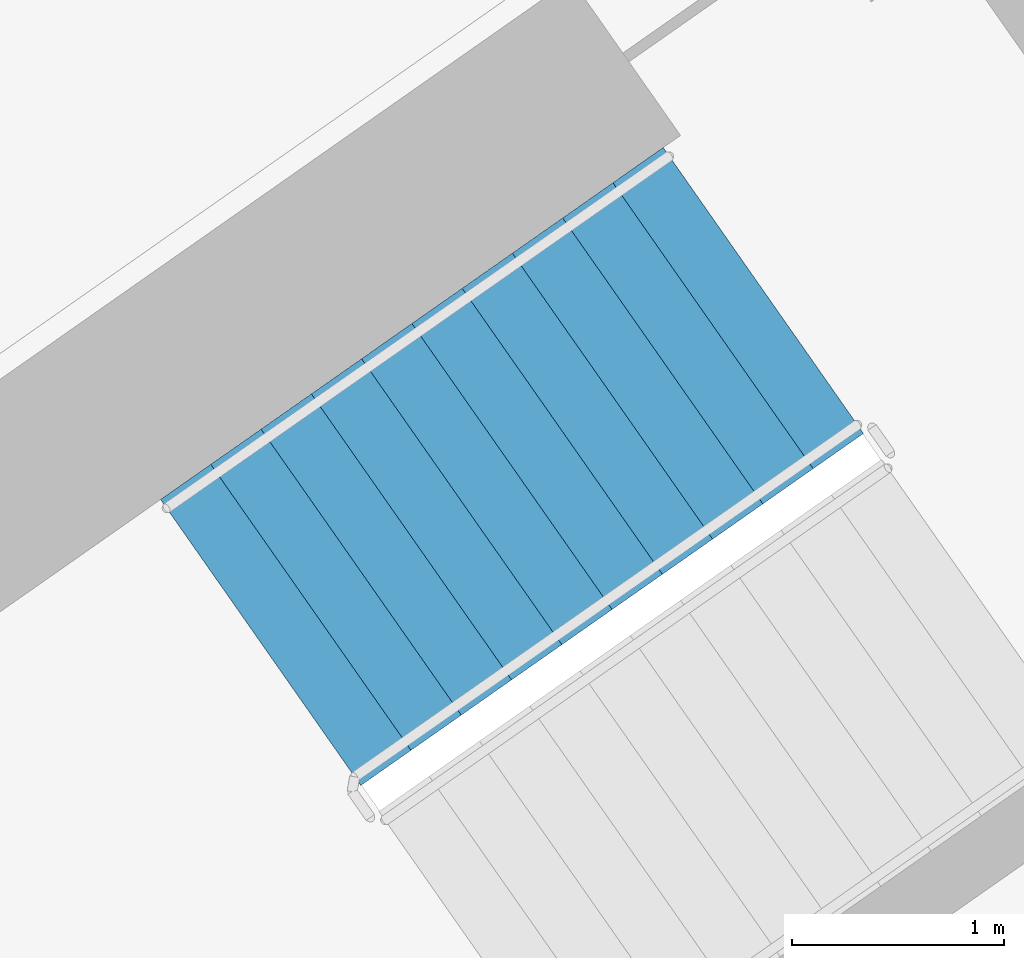
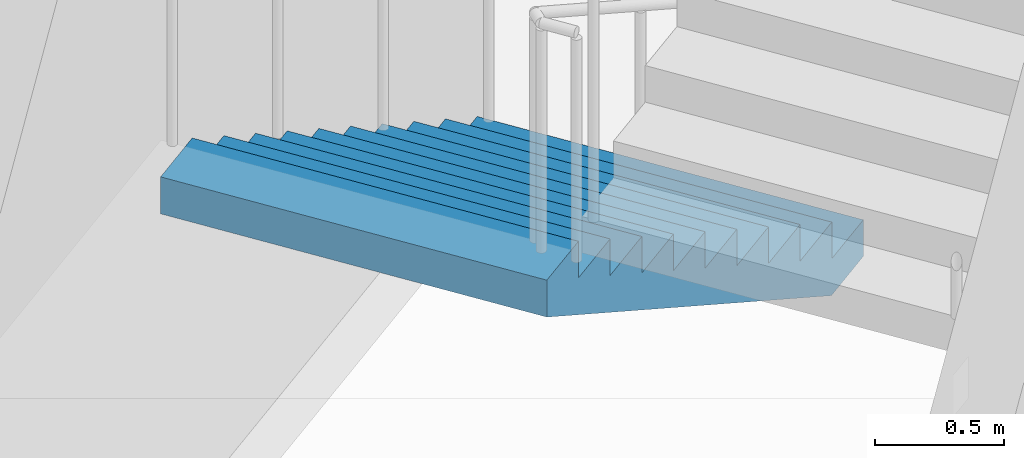
# One storey, part 18 of 33: 1 stair flight, 1 element without a shape of its own.
"""IFC4 building model written with IfcOpenShell, lengths in metres."""

from ifc_helpers import new_model, si_unit, direction, frame, origin, place, context, subcontext, project, spatial, faceted_brep, material, type_object, element, aggregate, save


model = new_model("IFC4")

# Units and contexts
model_context = context("Model", 3, precision=1e-05, world=origin(), true_north=direction((0.0, 1.0)))
body_context = subcontext(model_context, "Body", "Model", "MODEL_VIEW")
ifc_project = project(units=[si_unit("LENGTHUNIT", "METRE"), si_unit("AREAUNIT", "SQUARE_METRE"), si_unit("VOLUMEUNIT", "CUBIC_METRE"), si_unit("PLANEANGLEUNIT", "RADIAN"), si_unit("MASSUNIT", "GRAM", prefix="KILO")], contexts=[model_context])

# Site, building, storey
site_placement = place(None, origin())
site = spatial("IfcSite", under=ifc_project, at=site_placement, CompositionType="ELEMENT")
building_placement = place(site_placement, origin())
building = spatial("IfcBuilding", under=site, at=building_placement, Name="Qamariyya Broadcast Tower", CompositionType="ELEMENT")
storey_placement = place(building_placement, frame((0.0, 0.0, 78.5)))
storey = spatial("IfcBuildingStorey", under=building, at=storey_placement, Name="L16", CompositionType="ELEMENT", Elevation=78.5)

# Stair, stair flight
ifc_material = material(Name="Concrete C50/60", Category="concrete")
stair_type = type_object("IfcStairType", Name="Exit stair 22 risers of 173 mm", PredefinedType="HALF_TURN_STAIR", material=ifc_material)
stair_placement = place(storey_placement, origin())
stair = element("IfcStair", 1, at=stair_placement, inside=storey, type_object=stair_type, Name="L16 Stair E2", PredefinedType="HALF_TURN_STAIR")
stair_flight_type = type_object("IfcStairFlightType", Name="Exit stair flight 11 risers of 173 mm", PredefinedType="STRAIGHT", material=ifc_material)
stair_flight_placement = place(storey_placement, frame((40.558837890625, -47.685302734375, 0.0), z_axis=(0.0, 0.0, 1.0), x_axis=(-0.819152044289, -0.573576436351, 0.0)))
stair_flight = element("IfcStairFlight", 2, at=stair_flight_placement, type_object=stair_flight_type, Name="ST-E2 flight 1", NumberOfRisers=11, NumberOfTreads=10, PredefinedType="STRAIGHT", RiserHeight=0.172727273, TreadLength=0.29, context=body_context, shape_type="Brep", body=[
    faceted_brep([(0.0, 0.824951171875, 0.0), (0.0, 0.824951171875, 0.172607421875), (0.2900390625, 0.824951171875, 0.172607421875), (0.2900390625, 0.824951171875, 0.345458984375), (0.580078125, 0.824951171875, 0.345458984375), (0.580078125, 0.824951171875, 0.51806640625), (0.8701171875, 0.824951171875, 0.51806640625), (0.8701171875, 0.824951171875, 0.69091796875), (1.159912109375, 0.824951171875, 0.69091796875), (1.159912109375, 0.824951171875, 0.863525390625), (1.449951171875, 0.824951171875, 0.863525390625), (1.449951171875, 0.824951171875, 1.036376953125), (1.739990234375, 0.824951171875, 1.036376953125), (1.739990234375, 0.824951171875, 1.208984375), (2.030029296875, 0.824951171875, 1.208984375), (2.030029296875, 0.824951171875, 1.3818359375), (2.320068359375, 0.824951171875, 1.3818359375), (2.320068359375, 0.824951171875, 1.554443359375), (2.610107421875, 0.824951171875, 1.554443359375), (2.610107421875, 0.824951171875, 1.727294921875), (2.89990234375, 0.824951171875, 1.727294921875), (2.89990234375, 0.824951171875, 1.552734375), (0.29296875, 0.824951171875, 0.0), (0.29296875, -0.824951171875, 0.0), (2.89990234375, -0.824951171875, 1.552734375), (2.89990234375, -0.824951171875, 1.727294921875), (2.610107421875, -0.824951171875, 1.727294921875), (2.610107421875, -0.824951171875, 1.554443359375), (2.320068359375, -0.824951171875, 1.554443359375), (2.320068359375, -0.824951171875, 1.3818359375), (2.030029296875, -0.824951171875, 1.3818359375), (2.030029296875, -0.824951171875, 1.208984375), (1.739990234375, -0.824951171875, 1.208984375), (1.739990234375, -0.824951171875, 1.036376953125), (1.449951171875, -0.824951171875, 1.036376953125), (1.449951171875, -0.824951171875, 0.863525390625), (1.159912109375, -0.824951171875, 0.863525390625), (1.159912109375, -0.824951171875, 0.69091796875), (0.8701171875, -0.824951171875, 0.69091796875), (0.8701171875, -0.824951171875, 0.51806640625), (0.580078125, -0.824951171875, 0.51806640625), (0.580078125, -0.824951171875, 0.345458984375), (0.2900390625, -0.824951171875, 0.345458984375), (0.2900390625, -0.824951171875, 0.172607421875), (0.0, -0.824951171875, 0.172607421875), (0.0, -0.824951171875, 0.0), (0.0, 0.10009765625, 0.0), (0.0, 0.086669921875, 0.0), (0.0, 0.0732421875, 0.0), (0.0, 0.06005859375, 0.0), (0.0, 0.046630859375, 0.0), (0.0, 0.033447265625, 0.0), (0.0, 0.02001953125, 0.0), (0.0, 0.006591796875, 0.0), (0.0, -0.006591796875, 0.0), (0.0, -0.02001953125, 0.0), (0.0, -0.033447265625, 0.0), (0.0, -0.046630859375, 0.0), (0.0, -0.06005859375, 0.0), (0.0, -0.0732421875, 0.0), (0.0, -0.086669921875, 0.0), (0.0, -0.10009765625, 0.0), (0.0, -0.10009765625, 0.172607421875), (0.0, -0.086669921875, 0.172607421875), (0.0, -0.0732421875, 0.172607421875), (0.0, -0.06005859375, 0.172607421875), (0.0, -0.046630859375, 0.172607421875), (0.0, -0.033447265625, 0.172607421875), (0.0, -0.02001953125, 0.172607421875), (0.0, -0.006591796875, 0.172607421875), (0.0, 0.006591796875, 0.172607421875), (0.0, 0.02001953125, 0.172607421875), (0.0, 0.033447265625, 0.172607421875), (0.0, 0.046630859375, 0.172607421875), (0.0, 0.06005859375, 0.172607421875), (0.0, 0.0732421875, 0.172607421875), (0.0, 0.086669921875, 0.172607421875), (0.0, 0.10009765625, 0.172607421875), (0.2900390625, -0.10009765625, 0.172607421875), (0.2900390625, -0.086669921875, 0.172607421875), (0.2900390625, -0.0732421875, 0.172607421875), (0.2900390625, -0.06005859375, 0.172607421875), (0.2900390625, -0.046630859375, 0.172607421875), (0.2900390625, -0.033447265625, 0.172607421875), (0.2900390625, -0.02001953125, 0.172607421875), (0.2900390625, -0.006591796875, 0.172607421875), (0.2900390625, 0.006591796875, 0.172607421875), (0.2900390625, 0.02001953125, 0.172607421875), (0.2900390625, 0.033447265625, 0.172607421875), (0.2900390625, 0.046630859375, 0.172607421875), (0.2900390625, 0.06005859375, 0.172607421875), (0.2900390625, 0.0732421875, 0.172607421875), (0.2900390625, 0.086669921875, 0.172607421875), (0.2900390625, 0.10009765625, 0.172607421875), (0.2900390625, -0.10009765625, 0.345458984375), (0.2900390625, -0.086669921875, 0.345458984375), (0.2900390625, -0.0732421875, 0.345458984375), (0.2900390625, -0.06005859375, 0.345458984375), (0.2900390625, -0.046630859375, 0.345458984375), (0.2900390625, -0.033447265625, 0.345458984375), (0.2900390625, -0.02001953125, 0.345458984375), (0.2900390625, -0.006591796875, 0.345458984375), (0.2900390625, 0.006591796875, 0.345458984375), (0.2900390625, 0.02001953125, 0.345458984375), (0.2900390625, 0.033447265625, 0.345458984375), (0.2900390625, 0.046630859375, 0.345458984375), (0.2900390625, 0.06005859375, 0.345458984375), (0.2900390625, 0.0732421875, 0.345458984375), (0.2900390625, 0.086669921875, 0.345458984375), (0.2900390625, 0.10009765625, 0.345458984375), (0.580078125, -0.10009765625, 0.345458984375), (0.580078125, -0.086669921875, 0.345458984375), (0.580078125, -0.0732421875, 0.345458984375), (0.580078125, -0.06005859375, 0.345458984375), (0.580078125, -0.046630859375, 0.345458984375), (0.580078125, -0.033447265625, 0.345458984375), (0.580078125, -0.02001953125, 0.345458984375), (0.580078125, -0.006591796875, 0.345458984375), (0.580078125, 0.006591796875, 0.345458984375), (0.580078125, 0.02001953125, 0.345458984375), (0.580078125, 0.033447265625, 0.345458984375), (0.580078125, 0.046630859375, 0.345458984375), (0.580078125, 0.06005859375, 0.345458984375), (0.580078125, 0.0732421875, 0.345458984375), (0.580078125, 0.086669921875, 0.345458984375), (0.580078125, 0.10009765625, 0.345458984375), (0.580078125, -0.10009765625, 0.51806640625), (0.580078125, -0.086669921875, 0.51806640625), (0.580078125, -0.0732421875, 0.51806640625), (0.580078125, -0.06005859375, 0.51806640625), (0.580078125, -0.046630859375, 0.51806640625), (0.580078125, -0.033447265625, 0.51806640625), (0.580078125, -0.02001953125, 0.51806640625), (0.580078125, -0.006591796875, 0.51806640625), (0.580078125, 0.006591796875, 0.51806640625), (0.580078125, 0.02001953125, 0.51806640625), (0.580078125, 0.033447265625, 0.51806640625), (0.580078125, 0.046630859375, 0.51806640625), (0.580078125, 0.06005859375, 0.51806640625), (0.580078125, 0.0732421875, 0.51806640625), (0.580078125, 0.086669921875, 0.51806640625), (0.580078125, 0.10009765625, 0.51806640625), (0.8701171875, -0.10009765625, 0.51806640625), (0.8701171875, -0.086669921875, 0.51806640625), (0.8701171875, -0.0732421875, 0.51806640625), (0.8701171875, -0.06005859375, 0.51806640625), (0.8701171875, -0.046630859375, 0.51806640625), (0.8701171875, -0.033447265625, 0.51806640625), (0.8701171875, -0.02001953125, 0.51806640625), (0.8701171875, -0.006591796875, 0.51806640625), (0.8701171875, 0.006591796875, 0.51806640625), (0.8701171875, 0.02001953125, 0.51806640625), (0.8701171875, 0.033447265625, 0.51806640625), (0.8701171875, 0.046630859375, 0.51806640625), (0.8701171875, 0.06005859375, 0.51806640625), (0.8701171875, 0.0732421875, 0.51806640625), (0.8701171875, 0.086669921875, 0.51806640625), (0.8701171875, 0.10009765625, 0.51806640625), (0.8701171875, -0.10009765625, 0.69091796875), (0.8701171875, -0.086669921875, 0.69091796875), (0.8701171875, -0.0732421875, 0.69091796875), (0.8701171875, -0.06005859375, 0.69091796875), (0.8701171875, -0.046630859375, 0.69091796875), (0.8701171875, -0.033447265625, 0.69091796875), (0.8701171875, -0.02001953125, 0.69091796875), (0.8701171875, -0.006591796875, 0.69091796875), (0.8701171875, 0.006591796875, 0.69091796875), (0.8701171875, 0.02001953125, 0.69091796875), (0.8701171875, 0.033447265625, 0.69091796875), (0.8701171875, 0.046630859375, 0.69091796875), (0.8701171875, 0.06005859375, 0.69091796875), (0.8701171875, 0.0732421875, 0.69091796875), (0.8701171875, 0.086669921875, 0.69091796875), (0.8701171875, 0.10009765625, 0.69091796875), (1.159912109375, -0.10009765625, 0.69091796875), (1.159912109375, -0.086669921875, 0.69091796875), (1.159912109375, -0.0732421875, 0.69091796875), (1.159912109375, -0.06005859375, 0.69091796875), (1.159912109375, -0.046630859375, 0.69091796875), (1.159912109375, -0.033447265625, 0.69091796875), (1.159912109375, -0.02001953125, 0.69091796875), (1.159912109375, -0.006591796875, 0.69091796875), (1.159912109375, 0.006591796875, 0.69091796875), (1.159912109375, 0.02001953125, 0.69091796875), (1.159912109375, 0.033447265625, 0.69091796875), (1.159912109375, 0.046630859375, 0.69091796875), (1.159912109375, 0.06005859375, 0.69091796875), (1.159912109375, 0.0732421875, 0.69091796875), (1.159912109375, 0.086669921875, 0.69091796875), (1.159912109375, 0.10009765625, 0.69091796875), (1.159912109375, -0.10009765625, 0.863525390625), (1.159912109375, -0.086669921875, 0.863525390625), (1.159912109375, -0.0732421875, 0.863525390625), (1.159912109375, -0.06005859375, 0.863525390625), (1.159912109375, -0.046630859375, 0.863525390625), (1.159912109375, -0.033447265625, 0.863525390625), (1.159912109375, -0.02001953125, 0.863525390625), (1.159912109375, -0.006591796875, 0.863525390625), (1.159912109375, 0.006591796875, 0.863525390625), (1.159912109375, 0.02001953125, 0.863525390625), (1.159912109375, 0.033447265625, 0.863525390625), (1.159912109375, 0.046630859375, 0.863525390625), (1.159912109375, 0.06005859375, 0.863525390625), (1.159912109375, 0.0732421875, 0.863525390625), (1.159912109375, 0.086669921875, 0.863525390625), (1.159912109375, 0.10009765625, 0.863525390625), (1.449951171875, -0.10009765625, 0.863525390625), (1.449951171875, -0.086669921875, 0.863525390625), (1.449951171875, -0.0732421875, 0.863525390625), (1.449951171875, -0.06005859375, 0.863525390625), (1.449951171875, -0.046630859375, 0.863525390625), (1.449951171875, -0.033447265625, 0.863525390625), (1.449951171875, -0.02001953125, 0.863525390625), (1.449951171875, -0.006591796875, 0.863525390625), (1.449951171875, 0.006591796875, 0.863525390625), (1.449951171875, 0.02001953125, 0.863525390625), (1.449951171875, 0.033447265625, 0.863525390625), (1.449951171875, 0.046630859375, 0.863525390625), (1.449951171875, 0.06005859375, 0.863525390625), (1.449951171875, 0.0732421875, 0.863525390625), (1.449951171875, 0.086669921875, 0.863525390625), (1.449951171875, 0.10009765625, 0.863525390625), (1.449951171875, -0.10009765625, 1.036376953125), (1.449951171875, -0.086669921875, 1.036376953125), (1.449951171875, -0.0732421875, 1.036376953125), (1.449951171875, -0.06005859375, 1.036376953125), (1.449951171875, -0.046630859375, 1.036376953125), (1.449951171875, -0.033447265625, 1.036376953125), (1.449951171875, -0.02001953125, 1.036376953125), (1.449951171875, -0.006591796875, 1.036376953125), (1.449951171875, 0.006591796875, 1.036376953125), (1.449951171875, 0.02001953125, 1.036376953125), (1.449951171875, 0.033447265625, 1.036376953125), (1.449951171875, 0.046630859375, 1.036376953125), (1.449951171875, 0.06005859375, 1.036376953125), (1.449951171875, 0.0732421875, 1.036376953125), (1.449951171875, 0.086669921875, 1.036376953125), (1.449951171875, 0.10009765625, 1.036376953125), (1.739990234375, -0.10009765625, 1.036376953125), (1.739990234375, -0.086669921875, 1.036376953125), (1.739990234375, -0.0732421875, 1.036376953125), (1.739990234375, -0.06005859375, 1.036376953125), (1.739990234375, -0.046630859375, 1.036376953125), (1.739990234375, -0.033447265625, 1.036376953125), (1.739990234375, -0.02001953125, 1.036376953125), (1.739990234375, -0.006591796875, 1.036376953125), (1.739990234375, 0.006591796875, 1.036376953125), (1.739990234375, 0.02001953125, 1.036376953125), (1.739990234375, 0.033447265625, 1.036376953125), (1.739990234375, 0.046630859375, 1.036376953125), (1.739990234375, 0.06005859375, 1.036376953125), (1.739990234375, 0.0732421875, 1.036376953125), (1.739990234375, 0.086669921875, 1.036376953125), (1.739990234375, 0.10009765625, 1.036376953125), (1.739990234375, -0.10009765625, 1.208984375), (1.739990234375, -0.086669921875, 1.208984375), (1.739990234375, -0.0732421875, 1.208984375), (1.739990234375, -0.06005859375, 1.208984375), (1.739990234375, -0.046630859375, 1.208984375), (1.739990234375, -0.033447265625, 1.208984375), (1.739990234375, -0.02001953125, 1.208984375), (1.739990234375, -0.006591796875, 1.208984375), (1.739990234375, 0.006591796875, 1.208984375), (1.739990234375, 0.02001953125, 1.208984375), (1.739990234375, 0.033447265625, 1.208984375), (1.739990234375, 0.046630859375, 1.208984375), (1.739990234375, 0.06005859375, 1.208984375), (1.739990234375, 0.0732421875, 1.208984375), (1.739990234375, 0.086669921875, 1.208984375), (1.739990234375, 0.10009765625, 1.208984375), (2.030029296875, -0.10009765625, 1.208984375), (2.030029296875, -0.086669921875, 1.208984375), (2.030029296875, -0.0732421875, 1.208984375), (2.030029296875, -0.06005859375, 1.208984375), (2.030029296875, -0.046630859375, 1.208984375), (2.030029296875, -0.033447265625, 1.208984375), (2.030029296875, -0.02001953125, 1.208984375), (2.030029296875, -0.006591796875, 1.208984375), (2.030029296875, 0.006591796875, 1.208984375), (2.030029296875, 0.02001953125, 1.208984375), (2.030029296875, 0.033447265625, 1.208984375), (2.030029296875, 0.046630859375, 1.208984375), (2.030029296875, 0.06005859375, 1.208984375), (2.030029296875, 0.0732421875, 1.208984375), (2.030029296875, 0.086669921875, 1.208984375), (2.030029296875, 0.10009765625, 1.208984375), (2.030029296875, -0.10009765625, 1.3818359375), (2.030029296875, -0.086669921875, 1.3818359375), (2.030029296875, -0.0732421875, 1.3818359375), (2.030029296875, -0.06005859375, 1.3818359375), (2.030029296875, -0.046630859375, 1.3818359375), (2.030029296875, -0.033447265625, 1.3818359375), (2.030029296875, -0.02001953125, 1.3818359375), (2.030029296875, -0.006591796875, 1.3818359375), (2.030029296875, 0.006591796875, 1.3818359375), (2.030029296875, 0.02001953125, 1.3818359375), (2.030029296875, 0.033447265625, 1.3818359375), (2.030029296875, 0.046630859375, 1.3818359375), (2.030029296875, 0.06005859375, 1.3818359375), (2.030029296875, 0.0732421875, 1.3818359375), (2.030029296875, 0.086669921875, 1.3818359375), (2.030029296875, 0.10009765625, 1.3818359375), (2.320068359375, -0.10009765625, 1.3818359375), (2.320068359375, -0.086669921875, 1.3818359375), (2.320068359375, -0.0732421875, 1.3818359375), (2.320068359375, -0.06005859375, 1.3818359375), (2.320068359375, -0.046630859375, 1.3818359375), (2.320068359375, -0.033447265625, 1.3818359375), (2.320068359375, -0.02001953125, 1.3818359375), (2.320068359375, -0.006591796875, 1.3818359375), (2.320068359375, 0.006591796875, 1.3818359375), (2.320068359375, 0.02001953125, 1.3818359375), (2.320068359375, 0.033447265625, 1.3818359375), (2.320068359375, 0.046630859375, 1.3818359375), (2.320068359375, 0.06005859375, 1.3818359375), (2.320068359375, 0.0732421875, 1.3818359375), (2.320068359375, 0.086669921875, 1.3818359375), (2.320068359375, 0.10009765625, 1.3818359375), (2.320068359375, -0.10009765625, 1.554443359375), (2.320068359375, -0.086669921875, 1.554443359375), (2.320068359375, -0.0732421875, 1.554443359375), (2.320068359375, -0.06005859375, 1.554443359375), (2.320068359375, -0.046630859375, 1.554443359375), (2.320068359375, -0.033447265625, 1.554443359375), (2.320068359375, -0.02001953125, 1.554443359375), (2.320068359375, -0.006591796875, 1.554443359375), (2.320068359375, 0.006591796875, 1.554443359375), (2.320068359375, 0.02001953125, 1.554443359375), (2.320068359375, 0.033447265625, 1.554443359375), (2.320068359375, 0.046630859375, 1.554443359375), (2.320068359375, 0.06005859375, 1.554443359375), (2.320068359375, 0.0732421875, 1.554443359375), (2.320068359375, 0.086669921875, 1.554443359375), (2.320068359375, 0.10009765625, 1.554443359375), (2.610107421875, -0.10009765625, 1.554443359375), (2.610107421875, -0.086669921875, 1.554443359375), (2.610107421875, -0.0732421875, 1.554443359375), (2.610107421875, -0.06005859375, 1.554443359375), (2.610107421875, -0.046630859375, 1.554443359375), (2.610107421875, -0.033447265625, 1.554443359375), (2.610107421875, -0.02001953125, 1.554443359375), (2.610107421875, -0.006591796875, 1.554443359375), (2.610107421875, 0.006591796875, 1.554443359375), (2.610107421875, 0.02001953125, 1.554443359375), (2.610107421875, 0.033447265625, 1.554443359375), (2.610107421875, 0.046630859375, 1.554443359375), (2.610107421875, 0.06005859375, 1.554443359375), (2.610107421875, 0.0732421875, 1.554443359375), (2.610107421875, 0.086669921875, 1.554443359375), (2.610107421875, 0.10009765625, 1.554443359375), (2.610107421875, -0.10009765625, 1.727294921875), (2.610107421875, -0.086669921875, 1.727294921875), (2.610107421875, -0.0732421875, 1.727294921875), (2.610107421875, -0.06005859375, 1.727294921875), (2.610107421875, -0.046630859375, 1.727294921875), (2.610107421875, -0.033447265625, 1.727294921875), (2.610107421875, -0.02001953125, 1.727294921875), (2.610107421875, -0.006591796875, 1.727294921875), (2.610107421875, 0.006591796875, 1.727294921875), (2.610107421875, 0.02001953125, 1.727294921875), (2.610107421875, 0.033447265625, 1.727294921875), (2.610107421875, 0.046630859375, 1.727294921875), (2.610107421875, 0.06005859375, 1.727294921875), (2.610107421875, 0.0732421875, 1.727294921875), (2.610107421875, 0.086669921875, 1.727294921875), (2.610107421875, 0.10009765625, 1.727294921875), (2.89990234375, -0.10009765625, 1.727294921875), (2.89990234375, -0.086669921875, 1.727294921875), (2.89990234375, -0.0732421875, 1.727294921875), (2.89990234375, -0.06005859375, 1.727294921875), (2.89990234375, -0.046630859375, 1.727294921875), (2.89990234375, -0.033447265625, 1.727294921875), (2.89990234375, -0.02001953125, 1.727294921875), (2.89990234375, -0.006591796875, 1.727294921875), (2.89990234375, 0.006591796875, 1.727294921875), (2.89990234375, 0.02001953125, 1.727294921875), (2.89990234375, 0.033447265625, 1.727294921875), (2.89990234375, 0.046630859375, 1.727294921875), (2.89990234375, 0.06005859375, 1.727294921875), (2.89990234375, 0.0732421875, 1.727294921875), (2.89990234375, 0.086669921875, 1.727294921875), (2.89990234375, 0.10009765625, 1.727294921875), (2.89990234375, -0.10009765625, 1.552734375), (2.89990234375, -0.086669921875, 1.552734375), (2.89990234375, -0.0732421875, 1.552734375), (2.89990234375, -0.06005859375, 1.552734375), (2.89990234375, -0.046630859375, 1.552734375), (2.89990234375, -0.033447265625, 1.552734375), (2.89990234375, -0.02001953125, 1.552734375), (2.89990234375, -0.006591796875, 1.552734375), (2.89990234375, 0.006591796875, 1.552734375), (2.89990234375, 0.02001953125, 1.552734375), (2.89990234375, 0.033447265625, 1.552734375), (2.89990234375, 0.046630859375, 1.552734375), (2.89990234375, 0.06005859375, 1.552734375), (2.89990234375, 0.0732421875, 1.552734375), (2.89990234375, 0.086669921875, 1.552734375), (2.89990234375, 0.10009765625, 1.552734375), (0.29296875, -0.10009765625, 0.0), (0.29296875, -0.086669921875, 0.0), (0.29296875, -0.0732421875, 0.0), (0.29296875, -0.06005859375, 0.0), (0.29296875, -0.046630859375, 0.0), (0.29296875, -0.033447265625, 0.0), (0.29296875, -0.02001953125, 0.0), (0.29296875, -0.006591796875, 0.0), (0.29296875, 0.006591796875, 0.0), (0.29296875, 0.02001953125, 0.0), (0.29296875, 0.033447265625, 0.0), (0.29296875, 0.046630859375, 0.0), (0.29296875, 0.06005859375, 0.0), (0.29296875, 0.0732421875, 0.0), (0.29296875, 0.086669921875, 0.0), (0.29296875, 0.10009765625, 0.0)], [[[0, 1, 2, 3, 4, 5, 6, 7, 8, 9, 10, 11, 12, 13, 14, 15, 16, 17, 18, 19, 20, 21, 22]], [[23, 24, 25, 26, 27, 28, 29, 30, 31, 32, 33, 34, 35, 36, 37, 38, 39, 40, 41, 42, 43, 44, 45]], [[0, 46, 47, 48, 49, 50, 51, 52, 53, 54, 55, 56, 57, 58, 59, 60, 61, 45, 44, 62, 63, 64, 65, 66, 67, 68, 69, 70, 71, 72, 73, 74, 75, 76, 77, 1]], [[1, 77, 76, 75, 74, 73, 72, 71, 70, 69, 68, 67, 66, 65, 64, 63, 62, 44, 43, 78, 79, 80, 81, 82, 83, 84, 85, 86, 87, 88, 89, 90, 91, 92, 93, 2]], [[2, 93, 92, 91, 90, 89, 88, 87, 86, 85, 84, 83, 82, 81, 80, 79, 78, 43, 42, 94, 95, 96, 97, 98, 99, 100, 101, 102, 103, 104, 105, 106, 107, 108, 109, 3]], [[3, 109, 108, 107, 106, 105, 104, 103, 102, 101, 100, 99, 98, 97, 96, 95, 94, 42, 41, 110, 111, 112, 113, 114, 115, 116, 117, 118, 119, 120, 121, 122, 123, 124, 125, 4]], [[4, 125, 124, 123, 122, 121, 120, 119, 118, 117, 116, 115, 114, 113, 112, 111, 110, 41, 40, 126, 127, 128, 129, 130, 131, 132, 133, 134, 135, 136, 137, 138, 139, 140, 141, 5]], [[5, 141, 140, 139, 138, 137, 136, 135, 134, 133, 132, 131, 130, 129, 128, 127, 126, 40, 39, 142, 143, 144, 145, 146, 147, 148, 149, 150, 151, 152, 153, 154, 155, 156, 157, 6]], [[6, 157, 156, 155, 154, 153, 152, 151, 150, 149, 148, 147, 146, 145, 144, 143, 142, 39, 38, 158, 159, 160, 161, 162, 163, 164, 165, 166, 167, 168, 169, 170, 171, 172, 173, 7]], [[7, 173, 172, 171, 170, 169, 168, 167, 166, 165, 164, 163, 162, 161, 160, 159, 158, 38, 37, 174, 175, 176, 177, 178, 179, 180, 181, 182, 183, 184, 185, 186, 187, 188, 189, 8]], [[8, 189, 188, 187, 186, 185, 184, 183, 182, 181, 180, 179, 178, 177, 176, 175, 174, 37, 36, 190, 191, 192, 193, 194, 195, 196, 197, 198, 199, 200, 201, 202, 203, 204, 205, 9]], [[9, 205, 204, 203, 202, 201, 200, 199, 198, 197, 196, 195, 194, 193, 192, 191, 190, 36, 35, 206, 207, 208, 209, 210, 211, 212, 213, 214, 215, 216, 217, 218, 219, 220, 221, 10]], [[10, 221, 220, 219, 218, 217, 216, 215, 214, 213, 212, 211, 210, 209, 208, 207, 206, 35, 34, 222, 223, 224, 225, 226, 227, 228, 229, 230, 231, 232, 233, 234, 235, 236, 237, 11]], [[11, 237, 236, 235, 234, 233, 232, 231, 230, 229, 228, 227, 226, 225, 224, 223, 222, 34, 33, 238, 239, 240, 241, 242, 243, 244, 245, 246, 247, 248, 249, 250, 251, 252, 253, 12]], [[12, 253, 252, 251, 250, 249, 248, 247, 246, 245, 244, 243, 242, 241, 240, 239, 238, 33, 32, 254, 255, 256, 257, 258, 259, 260, 261, 262, 263, 264, 265, 266, 267, 268, 269, 13]], [[13, 269, 268, 267, 266, 265, 264, 263, 262, 261, 260, 259, 258, 257, 256, 255, 254, 32, 31, 270, 271, 272, 273, 274, 275, 276, 277, 278, 279, 280, 281, 282, 283, 284, 285, 14]], [[14, 285, 284, 283, 282, 281, 280, 279, 278, 277, 276, 275, 274, 273, 272, 271, 270, 31, 30, 286, 287, 288, 289, 290, 291, 292, 293, 294, 295, 296, 297, 298, 299, 300, 301, 15]], [[15, 301, 300, 299, 298, 297, 296, 295, 294, 293, 292, 291, 290, 289, 288, 287, 286, 30, 29, 302, 303, 304, 305, 306, 307, 308, 309, 310, 311, 312, 313, 314, 315, 316, 317, 16]], [[16, 317, 316, 315, 314, 313, 312, 311, 310, 309, 308, 307, 306, 305, 304, 303, 302, 29, 28, 318, 319, 320, 321, 322, 323, 324, 325, 326, 327, 328, 329, 330, 331, 332, 333, 17]], [[17, 333, 332, 331, 330, 329, 328, 327, 326, 325, 324, 323, 322, 321, 320, 319, 318, 28, 27, 334, 335, 336, 337, 338, 339, 340, 341, 342, 343, 344, 345, 346, 347, 348, 349, 18]], [[18, 349, 348, 347, 346, 345, 344, 343, 342, 341, 340, 339, 338, 337, 336, 335, 334, 27, 26, 350, 351, 352, 353, 354, 355, 356, 357, 358, 359, 360, 361, 362, 363, 364, 365, 19]], [[19, 365, 364, 363, 362, 361, 360, 359, 358, 357, 356, 355, 354, 353, 352, 351, 350, 26, 25, 366, 367, 368, 369, 370, 371, 372, 373, 374, 375, 376, 377, 378, 379, 380, 381, 20]], [[20, 381, 380, 379, 378, 377, 376, 375, 374, 373, 372, 371, 370, 369, 368, 367, 366, 25, 24, 382, 383, 384, 385, 386, 387, 388, 389, 390, 391, 392, 393, 394, 395, 396, 397, 21]], [[21, 397, 396, 395, 394, 393, 392, 391, 390, 389, 388, 387, 386, 385, 384, 383, 382, 24, 23, 398, 399, 400, 401, 402, 403, 404, 405, 406, 407, 408, 409, 410, 411, 412, 413, 22]], [[22, 413, 412, 411, 410, 409, 408, 407, 406, 405, 404, 403, 402, 401, 400, 399, 398, 23, 45, 61, 60, 59, 58, 57, 56, 55, 54, 53, 52, 51, 50, 49, 48, 47, 46, 0]]]),
])
aggregate(stair, [stair_flight])

save(model, "model.ifc")
